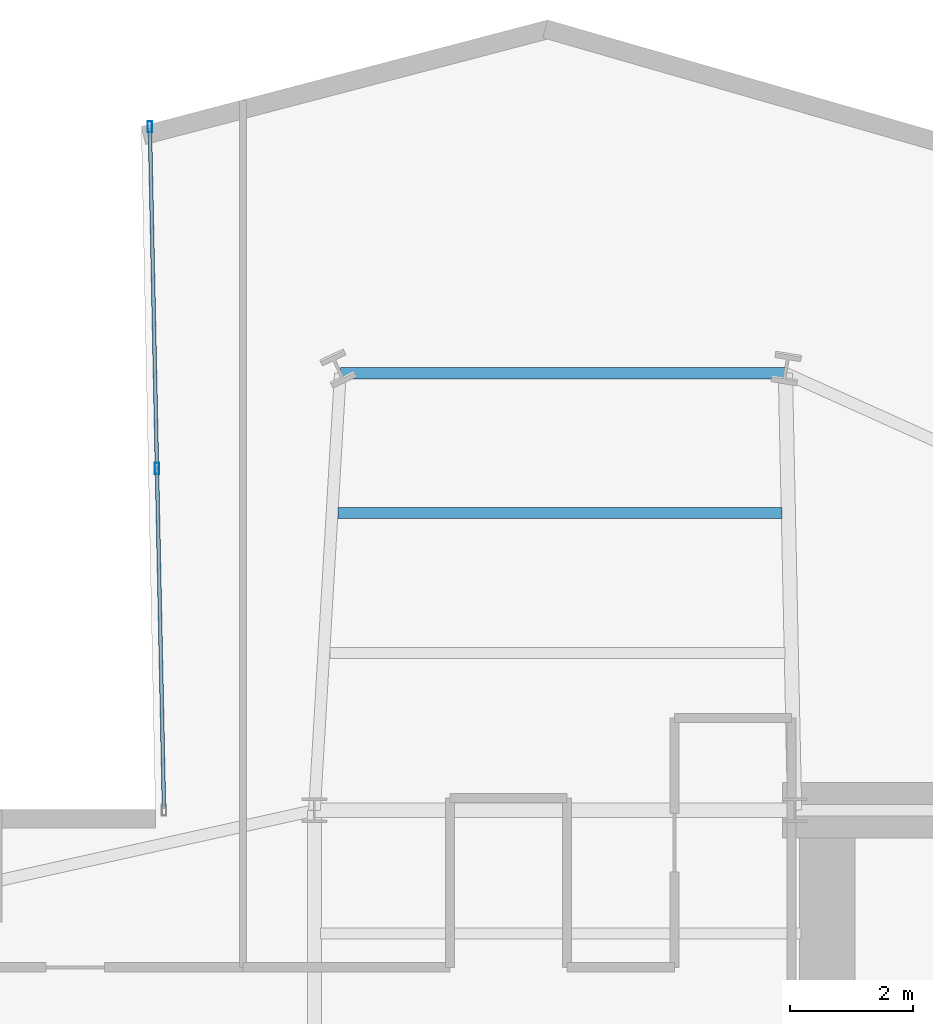
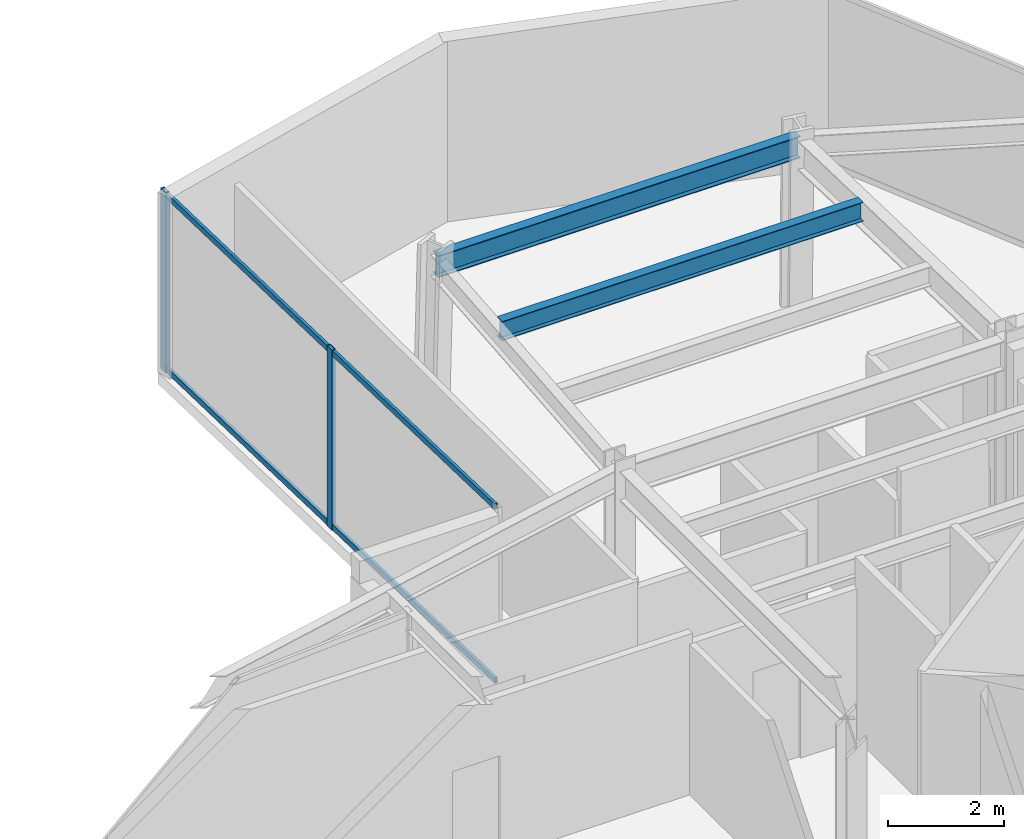
# One storey, part 16 of 24: 4 members, 2 beams, 1 element without a shape of its own.
"""IFC4 building model written with IfcOpenShell, lengths in metres."""

from ifc_helpers import new_model, si_unit, direction, frame, origin, origin_2d, place, context, subcontext, project, spatial, hollow_rectangle, i_section, extrude, material, layer, layer_set, material_profile, profile_set, type_object, element, aggregate, save


model = new_model("IFC4")

# Units and contexts
model_context = context("Model", 3, precision=1e-05, world=origin(), true_north=direction((0.0, 1.0)))
body_context = subcontext(model_context, "Body", "Model", "MODEL_VIEW")
ifc_project = project(units=[si_unit("LENGTHUNIT", "METRE"), si_unit("AREAUNIT", "SQUARE_METRE"), si_unit("VOLUMEUNIT", "CUBIC_METRE"), si_unit("PLANEANGLEUNIT", "RADIAN"), si_unit("MASSUNIT", "GRAM", prefix="KILO")], contexts=[model_context])

# Site, building, storey
site_placement = place(None, origin())
site = spatial("IfcSite", under=ifc_project, at=site_placement, CompositionType="ELEMENT")
building_placement = place(site_placement, origin())
building = spatial("IfcBuilding", under=site, at=building_placement, Name="Veymaron Broadcast Tower", CompositionType="ELEMENT")
storey_placement = place(building_placement, frame((0.0, 0.0, 98.550048828125)))
storey = spatial("IfcBuildingStorey", under=building, at=storey_placement, Name="L22", CompositionType="ELEMENT", Elevation=98.550048828125)

# Beams
ifc_material_1 = material(Name="Structural steel ASTM A992 Gr 50", Category="steel")
ifc_material_profile_1 = material_profile(ifc_material_1, i_section(OverallWidth=0.177978515625, OverallDepth=0.406982421875, WebThickness=0.0078125, FlangeThickness=0.0126953125, at=origin_2d()), Name="W410X60")
ifc_profile_set_1 = profile_set([ifc_material_profile_1], Name="Structural steel ASTM A992 Gr 50")
beam_type_1 = type_object("IfcBeamType", Name="BM-JS1", PredefinedType="JOIST", material=ifc_profile_set_1)
beam_1_placement = place(storey_placement, frame((31.585693359375, 36.827880859375, 3.6064453125), z_axis=(1.0, 0.0, 0.0), x_axis=(0.0, 1.0, 0.0)))
element("IfcBeam", 1, at=beam_1_placement, inside=storey, type_object=beam_type_1, Name="L22 Arm-B secondary joist 2", PredefinedType="JOIST", context=body_context, shape_type="SweptSolid", body=[
    extrude(i_section(OverallWidth=0.177978515625, OverallDepth=0.406982421875, WebThickness=0.0078125, FlangeThickness=0.0126953125, at=origin_2d()), origin(), (0.0, 0.0, 1.0), 7.21240234375),
])
ifc_material_profile_2 = material_profile(ifc_material_1, i_section(OverallWidth=0.19091796875, OverallDepth=0.4599609375, WebThickness=0.010009765625, FlangeThickness=0.01611328125, at=origin_2d()), Name="W460X82")
ifc_profile_set_2 = profile_set([ifc_material_profile_2], Name="Structural steel ASTM A992 Gr 50")
beam_type_2 = type_object("IfcBeamType", Name="BM-SP1", PredefinedType="SPANDREL", material=ifc_profile_set_2)
beam_2_placement = place(storey_placement, frame((31.6201171875, 39.10009765625, 3.579833984375), z_axis=(1.0, 0.0, 0.0), x_axis=(0.0, 1.0, 0.0)))
element("IfcBeam", 2, at=beam_2_placement, inside=storey, type_object=beam_type_2, Name="L22 primary structural floor girder", PredefinedType="SPANDREL", context=body_context, shape_type="SweptSolid", body=[
    extrude(i_section(OverallWidth=0.19091796875, OverallDepth=0.4599609375, WebThickness=0.010009765625, FlangeThickness=0.01611328125, at=origin_2d()), origin(), (0.0, 0.0, 1.0), 7.22998046875),
])

# Curtain wall, members
ifc_material_2 = material(Name="Anodised aluminium AA 6063-T6 and laminated low-E dark glass", Category="aluminium")
ifc_layer = layer(ifc_material_2, 0.179931640625)
ifc_layer_set = layer_set([ifc_layer], Name="Anodised aluminium AA 6063-T6 and laminated low-E dark glass")
curtain_wall_type = type_object("IfcCurtainWallType", Name="CW-SYS-02", PredefinedType="NOTDEFINED", material=ifc_layer_set)
curtain_wall_placement = place(storey_placement, origin())
curtain_wall = element("IfcCurtainWall", 3, at=curtain_wall_placement, inside=storey, type_object=curtain_wall_type, Name="L22 dark-glass curtain wall CW-L22-E8-1", PredefinedType="NOTDEFINED")
ifc_material_3 = material(Name="Anodised aluminium AA 6063-T6", Category="aluminium")
ifc_material_profile_3 = material_profile(ifc_material_3, hollow_rectangle(XDim=0.074951171875, YDim=0.179931640625, WallThickness=0.0048828125, at=origin_2d()), Name="AL180X75X5")
ifc_profile_set_3 = profile_set([ifc_material_profile_3], Name="Anodised aluminium AA 6063-T6")
member_type_1 = type_object("IfcMemberType", Name="CW-MUL-02", PredefinedType="MULLION", material=ifc_profile_set_3)
member_1_placement = place(storey_placement, frame((28.52587890625, 43.101806640625, 0.0), z_axis=(0.0, 0.0, 1.0), x_axis=(1.0, 0.0, 0.0)))
member_1 = element("IfcMember", 4, at=member_1_placement, type_object=member_type_1, Name="CW-L22-E8-1 mullion 0", PredefinedType="MULLION", context=body_context, shape_type="SweptSolid", body=[
    extrude(hollow_rectangle(XDim=0.074951171875, YDim=0.179931640625, WallThickness=0.0048828125, at=origin_2d()), origin(), (0.0, 0.0, 1.0), 3.81005859375),
])
member_2_placement = place(storey_placement, frame((28.640869140625, 37.552490234375, 0.0), z_axis=(0.0, 0.0, 1.0), x_axis=(1.0, 0.0, 0.0)))
member_2 = element("IfcMember", 5, at=member_2_placement, type_object=member_type_1, Name="CW-L22-E8-1 mullion 1", PredefinedType="MULLION", context=body_context, shape_type="SweptSolid", body=[
    extrude(hollow_rectangle(XDim=0.074951171875, YDim=0.179931640625, WallThickness=0.0048828125, at=origin_2d()), origin(), (0.0, 0.0, 1.0), 3.81005859375),
])
ifc_material_profile_4 = material_profile(ifc_material_3, hollow_rectangle(XDim=0.06005859375, YDim=0.1201171875, WallThickness=0.00390625, at=origin_2d()), Name="AL120X60X4")
ifc_profile_set_4 = profile_set([ifc_material_profile_4], Name="Anodised aluminium AA 6063-T6")
member_type_2 = type_object("IfcMemberType", Name="CW-TRN-02", PredefinedType="USERDEFINED", material=ifc_profile_set_4)
member_3_placement = place(storey_placement, frame((28.527099609375, 43.052001953125, 0.070068359375), z_axis=(0.020660598316, -0.999786547058, 0.0), x_axis=(0.999786547058, 0.020660598316, 0.0)))
member_3 = element("IfcMember", 6, at=member_3_placement, type_object=member_type_2, Name="CW-L22-E8-1 transom B", ObjectType="TRANSOM", PredefinedType="USERDEFINED", context=body_context, shape_type="SweptSolid", body=[
    extrude(hollow_rectangle(XDim=0.06005859375, YDim=0.1201171875, WallThickness=0.00390625, at=origin_2d()), origin(), (0.0, 0.0, 1.0), 11.00146484375),
])
member_4_placement = place(storey_placement, frame((28.527099609375, 43.052001953125, 3.739990234375), z_axis=(0.020660598316, -0.999786547058, 0.0), x_axis=(0.999786547058, 0.020660598316, 0.0)))
member_4 = element("IfcMember", 7, at=member_4_placement, type_object=member_type_2, Name="CW-L22-E8-1 transom T", ObjectType="TRANSOM", PredefinedType="USERDEFINED", context=body_context, shape_type="SweptSolid", body=[
    extrude(hollow_rectangle(XDim=0.06005859375, YDim=0.1201171875, WallThickness=0.00390625, at=origin_2d()), origin(), (0.0, 0.0, 1.0), 11.00146484375),
])
aggregate(curtain_wall, [member_1, member_2, member_3, member_4])

save(model, "model.ifc")
